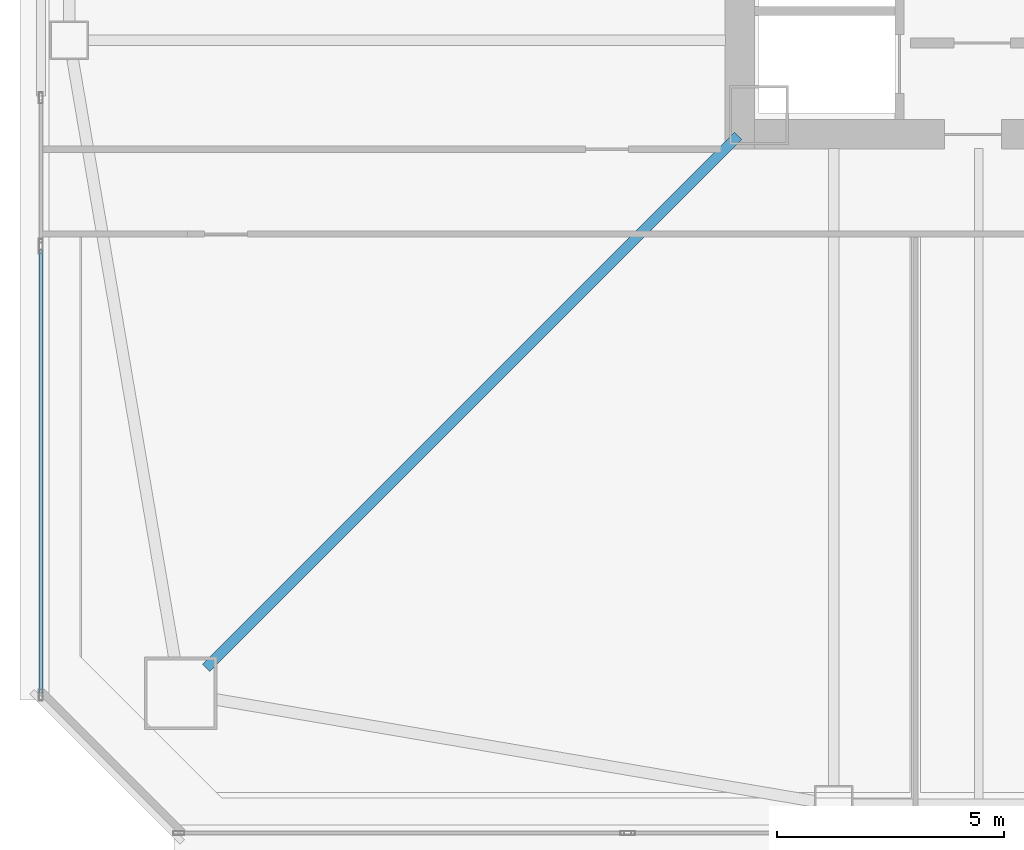
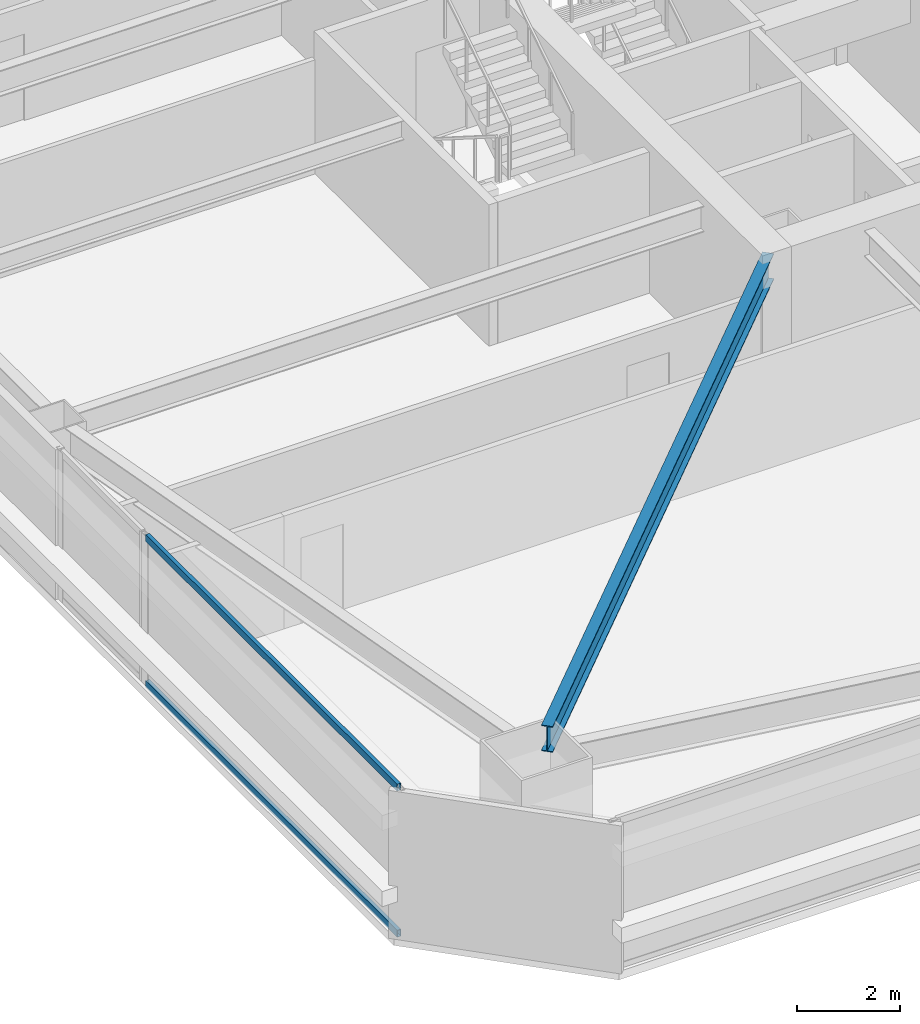
# One storey, part 4 of 46: 2 members, 1 beam, 1 element without a shape of its own.
"""IFC4 building model written with IfcOpenShell, lengths in metres."""

from ifc_helpers import new_model, si_unit, direction, frame, origin, origin_2d, place, context, subcontext, project, spatial, hollow_rectangle, i_section, extrude, material, material_profile, profile_set, type_object, element, aggregate, save


model = new_model("IFC4")

# Units and contexts
model_context = context("Model", 3, precision=1e-05, world=origin(), true_north=direction((0.0, 1.0)))
body_context = subcontext(model_context, "Body", "Model", "MODEL_VIEW")
ifc_project = project(units=[si_unit("LENGTHUNIT", "METRE"), si_unit("AREAUNIT", "SQUARE_METRE"), si_unit("VOLUMEUNIT", "CUBIC_METRE"), si_unit("PLANEANGLEUNIT", "RADIAN"), si_unit("MASSUNIT", "GRAM", prefix="KILO")], contexts=[model_context])

# Site, building, storey
site_placement = place(None, origin())
site = spatial("IfcSite", under=ifc_project, at=site_placement, CompositionType="ELEMENT")
building_placement = place(site_placement, origin())
building = spatial("IfcBuilding", under=site, at=building_placement, Name="Tashvorn Skyway Center", CompositionType="ELEMENT")
storey_placement = place(building_placement, frame((0.0, 0.0, 31.699951171875)))
storey = spatial("IfcBuildingStorey", under=building, at=storey_placement, Name="L07", CompositionType="ELEMENT", Elevation=31.699951171875)

# Beam
ifc_material_1 = material(Name="Steel ASTM A992 Grade 50", Category="steel")
ifc_material_profile_1 = material_profile(ifc_material_1, i_section(OverallWidth=0.22998046875, OverallDepth=0.616943359375, WebThickness=0.01318359375, FlangeThickness=0.022216796875, at=origin_2d()), Name="W24X94")
ifc_profile_set_1 = profile_set([ifc_material_profile_1], Name="Steel ASTM A992 Grade 50")
beam_type = type_object("IfcBeamType", Name="BM-BEAM-W24X94", PredefinedType="BEAM", material=ifc_profile_set_1)
beam_placement = place(storey_placement, frame((22.76220703125, 12.76220703125, 3.04150390625), z_axis=(0.707106781187, 0.707106781187, 0.0), x_axis=(-0.707106781187, 0.707106781187, 0.0)))
element("IfcBeam", 1, at=beam_placement, inside=storey, type_object=beam_type, Name="Tower 1 L07 Primary Floor Girder MC-SW", PredefinedType="BEAM", context=body_context, shape_type="SweptSolid", body=[
    extrude(i_section(OverallWidth=0.22998046875, OverallDepth=0.616943359375, WebThickness=0.01318359375, FlangeThickness=0.022216796875, at=origin_2d()), origin(), (0.0, 0.0, 1.0), 16.591064453125),
])

# Curtain wall, members
ifc_material_2 = material(Name="Thermally broken bronze-anodized aluminium 6063-T6", Category="aluminium")
curtain_wall_type = type_object("IfcCurtainWallType", Name="CW-CW-Z1", PredefinedType="NOTDEFINED", material=ifc_material_2)
curtain_wall_placement = place(storey_placement, origin())
curtain_wall = element("IfcCurtainWall", 2, at=curtain_wall_placement, inside=storey, type_object=curtain_wall_type, Name="Tower 1 L07 West Unitised Curtain Wall Glazing Group 1", PredefinedType="NOTDEFINED")
ifc_material_profile_2 = material_profile(ifc_material_2, hollow_rectangle(XDim=0.0849609375, YDim=0.1650390625, WallThickness=0.0048828125, at=origin_2d()), Name="ALU-TRAN-85x165")
ifc_profile_set_2 = profile_set([ifc_material_profile_2], Name="Thermally broken bronze-anodized aluminium 6063-T6")
member_type = type_object("IfcMemberType", Name="CWT-CW-Z1", PredefinedType="USERDEFINED", material=ifc_profile_set_2)
member_1_placement = place(storey_placement, frame((19.1201171875, 12.205078125, 0.04248046875), z_axis=(0.0, 1.0, 0.0), x_axis=(-1.0, 0.0, 0.0)))
member_1 = element("IfcMember", 3, at=member_1_placement, type_object=member_type, Name="CW-Z1 transom 1.1", ObjectType="TRANSOM", PredefinedType="USERDEFINED", context=body_context, shape_type="SweptSolid", body=[
    extrude(hollow_rectangle(XDim=0.0849609375, YDim=0.1650390625, WallThickness=0.0048828125, at=origin_2d()), origin(), (0.0, 0.0, 1.0), 9.77001953125),
])
member_2_placement = place(storey_placement, frame((19.1201171875, 12.205078125, 3.507568359375), z_axis=(0.0, 1.0, 0.0), x_axis=(-1.0, 0.0, 0.0)))
member_2 = element("IfcMember", 4, at=member_2_placement, type_object=member_type, Name="CW-Z1 transom 1.2", ObjectType="TRANSOM", PredefinedType="USERDEFINED", context=body_context, shape_type="SweptSolid", body=[
    extrude(hollow_rectangle(XDim=0.0849609375, YDim=0.1650390625, WallThickness=0.0048828125, at=origin_2d()), origin(), (0.0, 0.0, 1.0), 9.77001953125),
])
aggregate(curtain_wall, [member_1, member_2])

save(model, "model.ifc")
